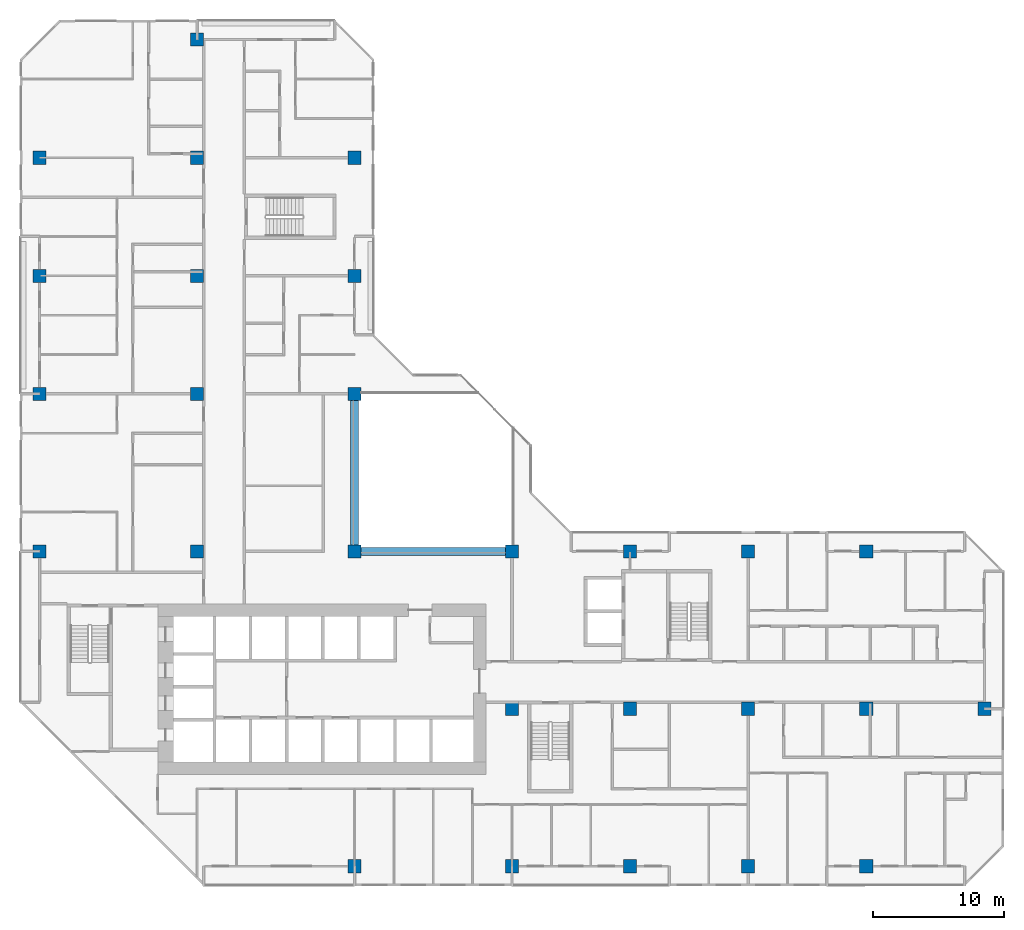
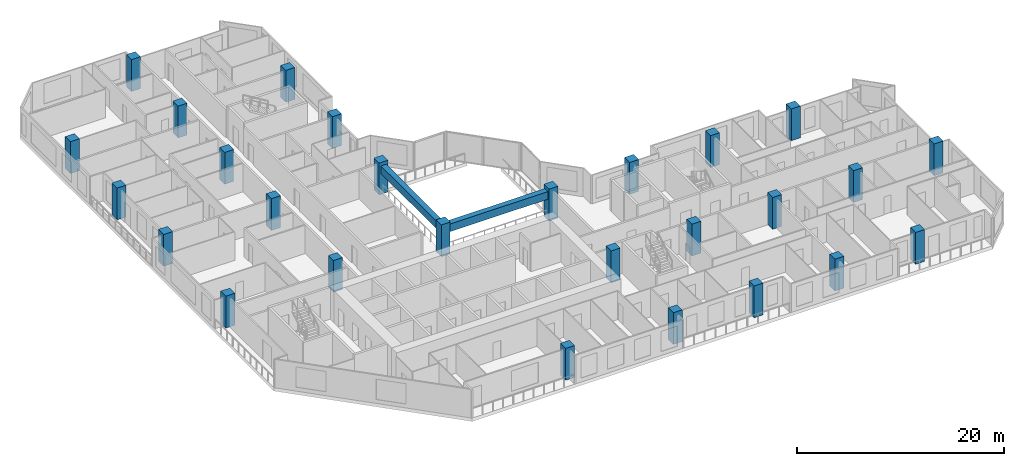
# One storey, part 1 of 16: 27 columns, 2 beams.
"""IFC4 building model written with IfcOpenShell, lengths in metres."""

from ifc_helpers import new_model, si_unit, direction, frame, origin, origin_2d, place, context, subcontext, project, spatial, rectangle, extrude, material, material_profile, profile_set, type_object, element, save


model = new_model("IFC4")

# Units and contexts
model_context = context("Model", 3, precision=1e-05, world=origin(), true_north=direction((0.0, 1.0)))
body_context = subcontext(model_context, "Body", "Model", "MODEL_VIEW")
ifc_project = project(units=[si_unit("LENGTHUNIT", "METRE"), si_unit("AREAUNIT", "SQUARE_METRE"), si_unit("VOLUMEUNIT", "CUBIC_METRE"), si_unit("PLANEANGLEUNIT", "RADIAN"), si_unit("MASSUNIT", "GRAM", prefix="KILO")], contexts=[model_context])

# Site, building, storey
site_placement = place(None, origin())
site = spatial("IfcSite", under=ifc_project, at=site_placement, CompositionType="ELEMENT")
building_placement = place(site_placement, origin())
building = spatial("IfcBuilding", under=site, at=building_placement, Name="Chenar Terraces", CompositionType="ELEMENT")
storey_placement = place(building_placement, frame((0.0, 0.0, 103.14990234375)))
storey = spatial("IfcBuildingStorey", under=building, at=storey_placement, Name="L23", CompositionType="ELEMENT", Elevation=103.14990234375)

# Columns
ifc_material_1 = material(Name="Concrete C70/85", Category="concrete")
ifc_material_profile_1 = material_profile(ifc_material_1, rectangle(XDim=1.0, YDim=1.0, at=origin_2d()), Name="C 1000 x 1000")
ifc_profile_set_1 = profile_set([ifc_material_profile_1], Name="Concrete C70/85")
column_type = type_object("IfcColumnType", Name="Column C 1000 x 1000 Concrete C70/85", PredefinedType="COLUMN", material=ifc_profile_set_1)
column_1_placement = place(storey_placement, frame((0.0, 24.0, 0.0), z_axis=(0.0, 0.0, 1.0), x_axis=(1.0, 0.0, 0.0)))
element("IfcColumn", 1, at=column_1_placement, inside=storey, type_object=column_type, Name="Column 5/G L23", PredefinedType="COLUMN", context=body_context, shape_type="SweptSolid", body=[
    extrude(rectangle(XDim=1.0, YDim=1.0, at=origin_2d()), origin(), (0.0, 0.0, 1.0), 3.75),
])
column_2_placement = place(storey_placement, frame((0.0, 36.0, 0.0), z_axis=(0.0, 0.0, 1.0), x_axis=(1.0, 0.0, 0.0)))
element("IfcColumn", 2, at=column_2_placement, inside=storey, type_object=column_type, Name="Column 5/H L23", PredefinedType="COLUMN", context=body_context, shape_type="SweptSolid", body=[
    extrude(rectangle(XDim=1.0, YDim=1.0, at=origin_2d()), origin(), (0.0, 0.0, 1.0), 3.75),
])
column_3_placement = place(storey_placement, frame((0.0, 45.0, 0.0), z_axis=(0.0, 0.0, 1.0), x_axis=(1.0, 0.0, 0.0)))
element("IfcColumn", 3, at=column_3_placement, inside=storey, type_object=column_type, Name="Column 5/J L23", PredefinedType="COLUMN", context=body_context, shape_type="SweptSolid", body=[
    extrude(rectangle(XDim=1.0, YDim=1.0, at=origin_2d()), origin(), (0.0, 0.0, 1.0), 3.75),
])
column_4_placement = place(storey_placement, frame((0.0, 54.0, 0.0), z_axis=(0.0, 0.0, 1.0), x_axis=(1.0, 0.0, 0.0)))
element("IfcColumn", 4, at=column_4_placement, inside=storey, type_object=column_type, Name="Column 5/K L23", PredefinedType="COLUMN", context=body_context, shape_type="SweptSolid", body=[
    extrude(rectangle(XDim=1.0, YDim=1.0, at=origin_2d()), origin(), (0.0, 0.0, 1.0), 3.75),
])
for number, where, z_axis, x_axis, name in (
    (5, (12.0, 24.0, 0.0), (0.0, 0.0, 1.0), (1.0, 0.0, 0.0), "Column 6/G L23"),
    (6, (12.0, 36.0, 0.0), (0.0, 0.0, 1.0), (1.0, 0.0, 0.0), "Column 6/H L23"),
    (7, (12.0, 45.0, 0.0), (0.0, 0.0, 1.0), (1.0, 0.0, 0.0), "Column 6/J L23"),
    (8, (12.0, 54.0, 0.0), (0.0, 0.0, 1.0), (1.0, 0.0, 0.0), "Column 6/K L23"),
    (9, (12.0, 63.0, 0.0), (0.0, 0.0, 1.0), (1.0, 0.0, 0.0), "Column 6/L L23"),
    (10, (24.0, 0.0, 0.0), (0.0, 0.0, 1.0), (1.0, 0.0, 0.0), "Column 7/E L23"),
    (11, (24.0, 24.0, 0.0), (0.0, 0.0, 1.0), (1.0, 0.0, 0.0), "Column 7/G L23"),
    (12, (24.0, 36.0, 0.0), (0.0, 0.0, 1.0), (1.0, 0.0, 0.0), "Column 7/H L23"),
    (13, (24.0, 45.0, 0.0), (0.0, 0.0, 1.0), (1.0, 0.0, 0.0), "Column 7/J L23"),
    (14, (24.0, 54.0, 0.0), (0.0, 0.0, 1.0), (1.0, 0.0, 0.0), "Column 7/K L23"),
    (15, (36.0, 0.0, 0.0), (0.0, 0.0, 1.0), (1.0, 0.0, 0.0), "Column 8/E L23"),
    (16, (36.0, 12.0, 0.0), (0.0, 0.0, 1.0), (1.0, 0.0, 0.0), "Column 8/F L23"),
    (17, (36.0, 24.0, 0.0), (0.0, 0.0, 1.0), (1.0, 0.0, 0.0), "Column 8/G L23"),
    (18, (45.0, 0.0, 0.0), (0.0, 0.0, 1.0), (1.0, 0.0, 0.0), "Column 9/E L23"),
    (19, (45.0, 12.0, 0.0), (0.0, 0.0, 1.0), (1.0, 0.0, 0.0), "Column 9/F L23"),
    (20, (45.0, 24.0, 0.0), (0.0, 0.0, 1.0), (1.0, 0.0, 0.0), "Column 9/G L23"),
    (21, (54.0, 0.0, 0.0), (0.0, 0.0, 1.0), (1.0, 0.0, 0.0), "Column 10/E L23"),
    (22, (54.0, 12.0, 0.0), (0.0, 0.0, 1.0), (1.0, 0.0, 0.0), "Column 10/F L23"),
    (23, (54.0, 24.0, 0.0), (0.0, 0.0, 1.0), (1.0, 0.0, 0.0), "Column 10/G L23"),
    (24, (63.0, 0.0, 0.0), (0.0, 0.0, 1.0), (1.0, 0.0, 0.0), "Column 11/E L23"),
    (25, (63.0, 12.0, 0.0), (0.0, 0.0, 1.0), (1.0, 0.0, 0.0), "Column 11/F L23"),
    (26, (63.0, 24.0, 0.0), (0.0, 0.0, 1.0), (1.0, 0.0, 0.0), "Column 11/G L23"),
    (27, (72.0, 12.0, 0.0), (0.0, 0.0, 1.0), (1.0, 0.0, 0.0), "Column 12/F L23"),
):
    element("IfcColumn", number, at=place(storey_placement, frame(where, z_axis=z_axis, x_axis=x_axis)), inside=storey, type_object=column_type, Name=name, PredefinedType="COLUMN", context=body_context, shape_type="SweptSolid", body=[
        extrude(rectangle(XDim=1.0, YDim=1.0, at=origin_2d()), origin(), (0.0, 0.0, 1.0), 3.75),
    ])

# Beams
ifc_material_2 = material(Name="Concrete C40/50", Category="concrete")
ifc_material_profile_2 = material_profile(ifc_material_2, rectangle(XDim=0.60009765625, YDim=0.89990234375, at=origin_2d()), Name="RC 600 x 900")
ifc_profile_set_2 = profile_set([ifc_material_profile_2], Name="Concrete C40/50")
beam_type = type_object("IfcBeamType", Name="Atrium edge beam 600 x 900 Concrete C40/50", PredefinedType="BEAM", material=ifc_profile_set_2)
for number, where, z_axis, x_axis, name in (
    (28, (24.5, 24.0, 2.900146484375), (1.0, 0.0, 0.0), (0.0, 1.0, 0.0), "Atrium edge beam L24 1"),
    (29, (24.0, 35.5, 2.900146484375), (0.0, -1.0, 0.0), (1.0, 0.0, 0.0), "Atrium edge beam L24 4"),
):
    element("IfcBeam", number, at=place(storey_placement, frame(where, z_axis=z_axis, x_axis=x_axis)), inside=storey, type_object=beam_type, Name=name, PredefinedType="BEAM", context=body_context, shape_type="SweptSolid", body=[
        extrude(rectangle(XDim=0.60009765625, YDim=0.89990234375, at=origin_2d()), origin(), (0.0, 0.0, 1.0), 11.0),
    ])

save(model, "model.ifc")
